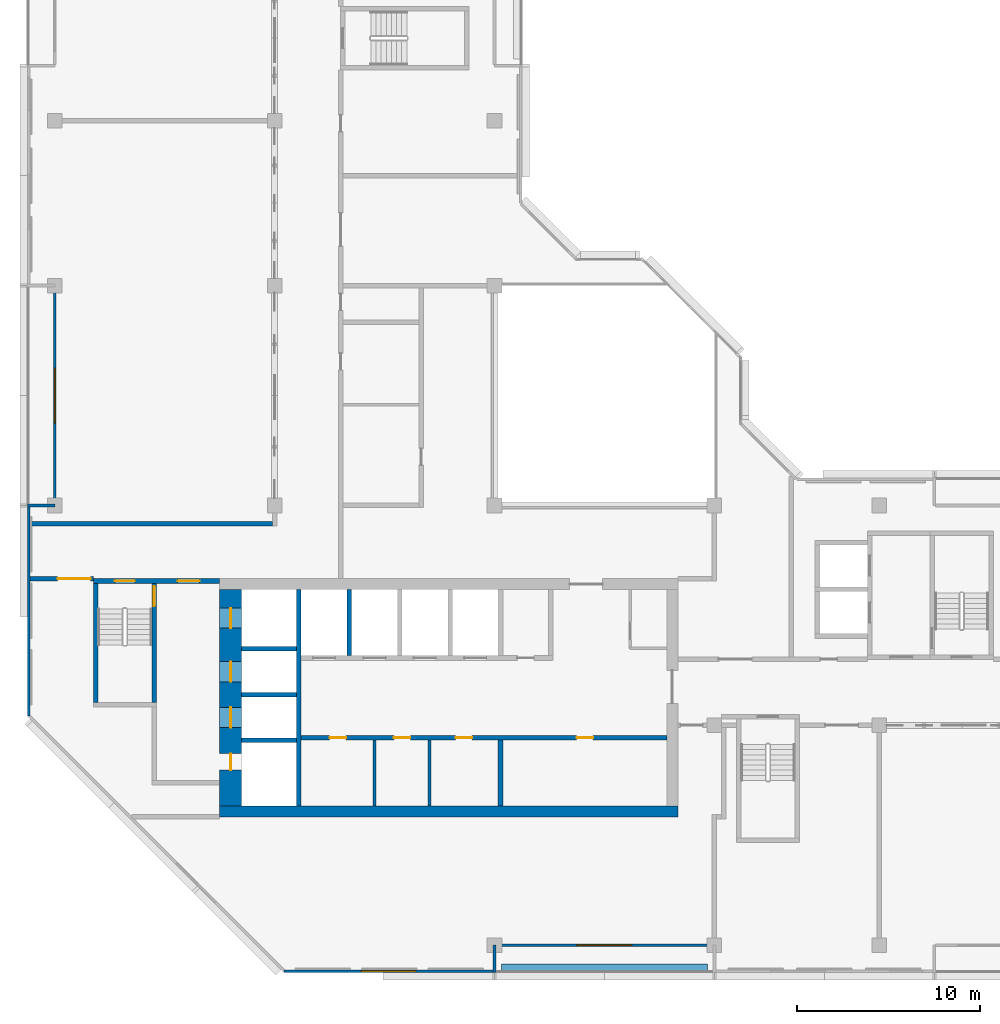
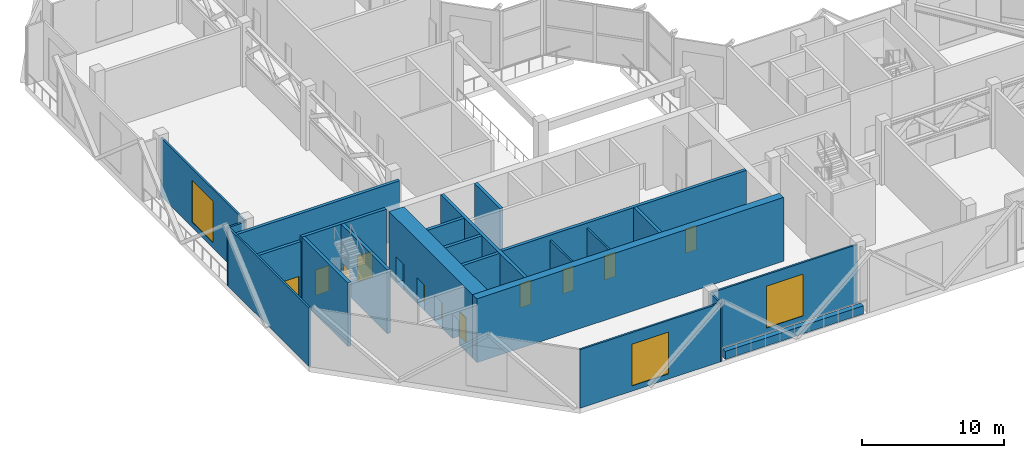
# One storey, part 5 of 13: 23 walls, 12 doors, 3 windows, 15 openings.
"""IFC4 building model written with IfcOpenShell, lengths in metres."""

from ifc_helpers import new_model, si_unit, direction, frame, frame_2d, origin, place, context, subcontext, project, spatial, rectangle, extrude, material, layer, layer_set, type_object, element, fill, save


model = new_model("IFC4")

# Units and contexts
model_context = context("Model", 3, precision=1e-05, world=origin(), true_north=direction((0.0, 1.0)))
body_context = subcontext(model_context, "Body", "Model", "MODEL_VIEW")
ifc_project = project(units=[si_unit("LENGTHUNIT", "METRE"), si_unit("AREAUNIT", "SQUARE_METRE"), si_unit("VOLUMEUNIT", "CUBIC_METRE"), si_unit("PLANEANGLEUNIT", "RADIAN"), si_unit("MASSUNIT", "GRAM", prefix="KILO")], contexts=[model_context])

# Site, building, storey
site_placement = place(None, origin())
site = spatial("IfcSite", under=ifc_project, at=site_placement, CompositionType="ELEMENT")
building_placement = place(site_placement, origin())
building = spatial("IfcBuilding", under=site, at=building_placement, Name="Chenar Terraces", CompositionType="ELEMENT")
storey_placement = place(building_placement, frame((0.0, 0.0, 322.14990234375)))
storey = spatial("IfcBuildingStorey", under=building, at=storey_placement, Name="L76", CompositionType="ELEMENT", Elevation=322.14990234375)

# Walls
ifc_material_1 = material(Name="Gypsum board on steel studs", Category="steel")
ifc_layer_1 = layer(ifc_material_1, 0.14990234375)
ifc_layer_set_1 = layer_set([ifc_layer_1], Name="Gypsum board on steel studs")
wall_type_1 = type_object("IfcWallType", Name="Core partition 150 gypsum board", PredefinedType="PARTITIONING", material=ifc_layer_set_1)
for number, where, z_axis, x_axis, name in (
    (1, (17.449951171875, 7.60009765625, 0.0), (0.0, 0.0, 1.0), (0.0, 1.0, 0.0), "Core partition CP1 freed bay wall"),
    (2, (20.449951171875, 7.60009765625, 0.0), (0.0, 0.0, 1.0), (0.0, 1.0, 0.0), "Core partition CP1 freed bay wall"),
):
    element("IfcWall", number, at=place(storey_placement, frame(where, z_axis=z_axis, x_axis=x_axis)), inside=storey, type_object=wall_type_1, Name=name, PredefinedType="PARTITIONING", context=body_context, shape_type="SweptSolid", body=[
        extrude(rectangle(XDim=3.599853515625, YDim=0.14990234375, at=frame_2d((1.7998046875, 0.0))), origin(), (0.0, 0.0, 1.0), 5.050048828125),
    ])

# Wall, openings, doors
ifc_material_2 = material(Name="Concrete C50/60", Category="concrete")
ifc_layer_2 = layer(ifc_material_2, 1.199951171875)
ifc_layer_set_2 = layer_set([ifc_layer_2], Name="Concrete C50/60")
wall_type_2 = type_object("IfcWallType", Name="Core wall 1200 Concrete C50/60", PredefinedType="SHEAR", material=ifc_layer_set_2)
wall_1_placement = place(storey_placement, frame((9.60009765625, 7.60009765625, 0.0), z_axis=(0.0, 0.0, 1.0), x_axis=(0.0, 1.0, 0.0)))
wall_1 = element("IfcWall", 3, at=wall_1_placement, inside=storey, type_object=wall_type_2, Name="Core wall W L76", PredefinedType="SHEAR", context=body_context, shape_type="SweptSolid", body=[
    extrude(rectangle(XDim=11.7998046875, YDim=1.199951171875, at=frame_2d((5.89990234375, 0.0))), origin(), (0.0, 0.0, 1.0), 5.5),
])
opening_1_placement = place(wall_1_placement, frame((4.27490234375, 0.0, 0.0)))
opening_1 = element("IfcOpeningElement", 4, at=opening_1_placement, cuts=wall_1, Name="Opening DL76-LD5", PredefinedType="OPENING", context=body_context, shape_type="SweptSolid", body=[
    extrude(rectangle(XDim=1.10009765625, YDim=2.199951171875, at=frame_2d((0.550048828125, 1.10009765625))), frame((0.0, 0.60986328125, 0.0), z_axis=(0.0, -1.0, 0.0), x_axis=(1.0, 0.0, 0.0)), (0.0, 0.0, 1.0), 1.219970703125),
])
opening_2_placement = place(wall_1_placement, frame((6.77490234375, 0.0, 0.0)))
opening_2 = element("IfcOpeningElement", 5, at=opening_2_placement, cuts=wall_1, Name="Opening DL76-LD6", PredefinedType="OPENING", context=body_context, shape_type="SweptSolid", body=[
    extrude(rectangle(XDim=1.10009765625, YDim=2.199951171875, at=frame_2d((0.550048828125, 1.10009765625))), frame((0.0, 0.60986328125, 0.0), z_axis=(0.0, -1.0, 0.0), x_axis=(1.0, 0.0, 0.0)), (0.0, 0.0, 1.0), 1.219970703125),
])
opening_3_placement = place(wall_1_placement, frame((9.699951171875, 0.0, 0.0)))
opening_3 = element("IfcOpeningElement", 6, at=opening_3_placement, cuts=wall_1, Name="Opening DL76-LD7", PredefinedType="OPENING", context=body_context, shape_type="SweptSolid", body=[
    extrude(rectangle(XDim=1.10009765625, YDim=2.199951171875, at=frame_2d((0.550048828125, 1.10009765625))), frame((0.0, 0.60986328125, 0.0), z_axis=(0.0, -1.0, 0.0), x_axis=(1.0, 0.0, 0.0)), (0.0, 0.0, 1.0), 1.219970703125),
])
opening_4_placement = place(wall_1_placement, frame((1.949951171875, 0.0, 0.0)))
opening_4 = element("IfcOpeningElement", 7, at=opening_4_placement, cuts=wall_1, Name="Opening DL76-C4", PredefinedType="OPENING", context=body_context, shape_type="SweptSolid", body=[
    extrude(rectangle(XDim=0.89990234375, YDim=2.10009765625, at=frame_2d((0.449951171875, 1.050048828125))), frame((0.0, 0.60986328125, 0.0), z_axis=(0.0, -1.0, 0.0), x_axis=(1.0, 0.0, 0.0)), (0.0, 0.0, 1.0), 1.219970703125),
])
ifc_material_3 = material(Name="Stainless steel", Category="steel")
door_type_1 = type_object("IfcDoorType", Name="Lift landing door 1100 x 2200 sliding", OperationType="DOUBLE_DOOR_SLIDING", PredefinedType="DOOR", material=ifc_material_3)
door_1_placement = place(opening_1_placement, origin())
door_1 = element("IfcDoor", 8, at=door_1_placement, inside=storey, type_object=door_type_1, Name="Landing door S1", OperationType="DOUBLE_DOOR_SLIDING", OverallHeight=2.199951171875, OverallWidth=1.10009765625, PredefinedType="DOOR", context=body_context, shape_type="SweptSolid", body=[
    extrude(rectangle(XDim=1.10009765625, YDim=2.199951171875, at=frame_2d((0.550048828125, 1.10009765625))), frame((0.0, 0.02490234375, 0.0), z_axis=(0.0, -1.0, 0.0), x_axis=(1.0, 0.0, 0.0)), (0.0, 0.0, 1.0), 0.050048828125),
])
fill(opening_1, door_1)
door_2_placement = place(opening_2_placement, origin())
door_2 = element("IfcDoor", 9, at=door_2_placement, inside=storey, type_object=door_type_1, Name="Landing door F1", OperationType="DOUBLE_DOOR_SLIDING", OverallHeight=2.199951171875, OverallWidth=1.10009765625, PredefinedType="DOOR", context=body_context, shape_type="SweptSolid", body=[
    extrude(rectangle(XDim=1.10009765625, YDim=2.199951171875, at=frame_2d((0.550048828125, 1.10009765625))), frame((0.0, 0.02490234375, 0.0), z_axis=(0.0, -1.0, 0.0), x_axis=(1.0, 0.0, 0.0)), (0.0, 0.0, 1.0), 0.050048828125),
])
fill(opening_2, door_2)
door_3_placement = place(opening_3_placement, origin())
door_3 = element("IfcDoor", 10, at=door_3_placement, inside=storey, type_object=door_type_1, Name="Landing door F2", OperationType="DOUBLE_DOOR_SLIDING", OverallHeight=2.199951171875, OverallWidth=1.10009765625, PredefinedType="DOOR", context=body_context, shape_type="SweptSolid", body=[
    extrude(rectangle(XDim=1.10009765625, YDim=2.199951171875, at=frame_2d((0.550048828125, 1.10009765625))), frame((0.0, 0.02490234375, 0.0), z_axis=(0.0, -1.0, 0.0), x_axis=(1.0, 0.0, 0.0)), (0.0, 0.0, 1.0), 0.050048828125),
])
fill(opening_3, door_3)
ifc_material_4 = material(Name="Steel-framed fire-resisting door leaf", Category="steel")
door_type_2 = type_object("IfcDoorType", Name="Riser fire door FD60 900 x 2100", OperationType="SINGLE_SWING_LEFT", PredefinedType="DOOR", material=ifc_material_4)
door_4_placement = place(opening_4_placement, frame((0.89990234375, 0.0, 0.0), z_axis=(0.0, 0.0, 1.0), x_axis=(-1.0, 0.0, 0.0)))
door_4 = element("IfcDoor", 11, at=door_4_placement, inside=storey, type_object=door_type_2, Name="Riser door DL76-C4", OperationType="SINGLE_SWING_LEFT", OverallHeight=2.10009765625, OverallWidth=0.89990234375, PredefinedType="DOOR", context=body_context, shape_type="SweptSolid", body=[
    extrude(rectangle(XDim=0.89990234375, YDim=2.10009765625, at=frame_2d((0.449951171875, 1.050048828125))), frame((0.0, 0.02490234375, 0.0), z_axis=(0.0, -1.0, 0.0), x_axis=(1.0, 0.0, 0.0)), (0.0, 0.0, 1.0), 0.050048828125),
])
fill(opening_4, door_4)

# Wall
ifc_material_5 = material(Name="Concrete C50/60", Category="concrete")
ifc_layer_3 = layer(ifc_material_5, 0.25)
ifc_layer_set_3 = layer_set([ifc_layer_3], Name="Concrete C50/60")
wall_type_3 = type_object("IfcWallType", Name="Core wall 250 Concrete C50/60", PredefinedType="SHEAR", material=ifc_layer_set_3)
wall_2_placement = place(storey_placement, frame((13.324951171875, 7.60009765625, 0.0), z_axis=(0.0, 0.0, 1.0), x_axis=(0.0, 1.0, 0.0)))
element("IfcWall", 12, at=wall_2_placement, inside=storey, type_object=wall_type_3, Name="Core wall WI L76", PredefinedType="SHEAR", context=body_context, shape_type="SweptSolid", body=[
    extrude(rectangle(XDim=11.7998046875, YDim=0.25, at=frame_2d((5.89990234375, 0.0))), origin(), (0.0, 0.0, 1.0), 5.5),
])

# Wall, openings, doors
wall_3_placement = place(storey_placement, frame((13.449951171875, 11.324951171875, 0.0), z_axis=(0.0, 0.0, 1.0), x_axis=(1.0, 0.0, 0.0)))
wall_3 = element("IfcWall", 13, at=wall_3_placement, inside=storey, type_object=wall_type_3, Name="Core wall SF L76", PredefinedType="SHEAR", context=body_context, shape_type="SweptSolid", body=[
    extrude(rectangle(XDim=19.949951171875, YDim=0.25, at=frame_2d((9.97509765625, 0.0))), origin(), (0.0, 0.0, 1.0), 5.5),
])
opening_5_placement = place(wall_3_placement, frame((1.550048828125, 0.0, 0.0)))
opening_5 = element("IfcOpeningElement", 14, at=opening_5_placement, cuts=wall_3, Name="Opening DL76-C12", PredefinedType="OPENING", context=body_context, shape_type="SweptSolid", body=[
    extrude(rectangle(XDim=0.89990234375, YDim=2.10009765625, at=frame_2d((0.449951171875, 1.050048828125))), frame((0.0, 0.135009765625, 0.0), z_axis=(0.0, -1.0, 0.0), x_axis=(1.0, 0.0, 0.0)), (0.0, 0.0, 1.0), 0.27001953125),
])
opening_6_placement = place(wall_3_placement, frame((5.050048828125, 0.0, 0.0)))
opening_6 = element("IfcOpeningElement", 15, at=opening_6_placement, cuts=wall_3, Name="Opening DL76-C13", PredefinedType="OPENING", context=body_context, shape_type="SweptSolid", body=[
    extrude(rectangle(XDim=0.89990234375, YDim=2.10009765625, at=frame_2d((0.449951171875, 1.050048828125))), frame((0.0, 0.135009765625, 0.0), z_axis=(0.0, -1.0, 0.0), x_axis=(1.0, 0.0, 0.0)), (0.0, 0.0, 1.0), 0.27001953125),
])
opening_7_placement = place(wall_3_placement, frame((8.425048828125, 0.0, 0.0)))
opening_7 = element("IfcOpeningElement", 16, at=opening_7_placement, cuts=wall_3, Name="Opening DL76-C14", PredefinedType="OPENING", context=body_context, shape_type="SweptSolid", body=[
    extrude(rectangle(XDim=0.89990234375, YDim=2.10009765625, at=frame_2d((0.449951171875, 1.050048828125))), frame((0.0, 0.135009765625, 0.0), z_axis=(0.0, -1.0, 0.0), x_axis=(1.0, 0.0, 0.0)), (0.0, 0.0, 1.0), 0.27001953125),
])
opening_8_placement = place(wall_3_placement, frame((15.02490234375, 0.0, 0.0)))
opening_8 = element("IfcOpeningElement", 17, at=opening_8_placement, cuts=wall_3, Name="Opening DL76-C15", PredefinedType="OPENING", context=body_context, shape_type="SweptSolid", body=[
    extrude(rectangle(XDim=0.89990234375, YDim=2.10009765625, at=frame_2d((0.449951171875, 1.050048828125))), frame((0.0, 0.135009765625, 0.0), z_axis=(0.0, -1.0, 0.0), x_axis=(1.0, 0.0, 0.0)), (0.0, 0.0, 1.0), 0.27001953125),
])
door_5_placement = place(opening_5_placement, frame((0.89990234375, 0.0, 0.0), z_axis=(0.0, 0.0, 1.0), x_axis=(-1.0, 0.0, 0.0)))
door_5 = element("IfcDoor", 18, at=door_5_placement, inside=storey, type_object=door_type_2, Name="Core room door DL76-C12", OperationType="SINGLE_SWING_LEFT", OverallHeight=2.10009765625, OverallWidth=0.89990234375, PredefinedType="DOOR", context=body_context, shape_type="SweptSolid", body=[
    extrude(rectangle(XDim=0.89990234375, YDim=2.10009765625, at=frame_2d((0.449951171875, 1.050048828125))), frame((0.0, 0.02490234375, 0.0), z_axis=(0.0, -1.0, 0.0), x_axis=(1.0, 0.0, 0.0)), (0.0, 0.0, 1.0), 0.050048828125),
])
fill(opening_5, door_5)
door_6_placement = place(opening_6_placement, frame((0.89990234375, 0.0, 0.0), z_axis=(0.0, 0.0, 1.0), x_axis=(-1.0, 0.0, 0.0)))
door_6 = element("IfcDoor", 19, at=door_6_placement, inside=storey, type_object=door_type_2, Name="Core room door DL76-C13", OperationType="SINGLE_SWING_LEFT", OverallHeight=2.10009765625, OverallWidth=0.89990234375, PredefinedType="DOOR", context=body_context, shape_type="SweptSolid", body=[
    extrude(rectangle(XDim=0.89990234375, YDim=2.10009765625, at=frame_2d((0.449951171875, 1.050048828125))), frame((0.0, 0.02490234375, 0.0), z_axis=(0.0, -1.0, 0.0), x_axis=(1.0, 0.0, 0.0)), (0.0, 0.0, 1.0), 0.050048828125),
])
fill(opening_6, door_6)
door_7_placement = place(opening_7_placement, frame((0.89990234375, 0.0, 0.0), z_axis=(0.0, 0.0, 1.0), x_axis=(-1.0, 0.0, 0.0)))
door_7 = element("IfcDoor", 20, at=door_7_placement, inside=storey, type_object=door_type_2, Name="Core room door DL76-C14", OperationType="SINGLE_SWING_RIGHT", OverallHeight=2.10009765625, OverallWidth=0.89990234375, PredefinedType="DOOR", context=body_context, shape_type="SweptSolid", body=[
    extrude(rectangle(XDim=0.89990234375, YDim=2.10009765625, at=frame_2d((0.449951171875, 1.050048828125))), frame((0.0, 0.02490234375, 0.0), z_axis=(0.0, -1.0, 0.0), x_axis=(1.0, 0.0, 0.0)), (0.0, 0.0, 1.0), 0.050048828125),
])
fill(opening_7, door_7)
door_8_placement = place(opening_8_placement, frame((0.89990234375, 0.0, 0.0), z_axis=(0.0, 0.0, 1.0), x_axis=(-1.0, 0.0, 0.0)))
door_8 = element("IfcDoor", 21, at=door_8_placement, inside=storey, type_object=door_type_2, Name="Core room door DL76-C15", OperationType="SINGLE_SWING_LEFT", OverallHeight=2.10009765625, OverallWidth=0.89990234375, PredefinedType="DOOR", context=body_context, shape_type="SweptSolid", body=[
    extrude(rectangle(XDim=0.89990234375, YDim=2.10009765625, at=frame_2d((0.449951171875, 1.050048828125))), frame((0.0, 0.02490234375, 0.0), z_axis=(0.0, -1.0, 0.0), x_axis=(1.0, 0.0, 0.0)), (0.0, 0.0, 1.0), 0.050048828125),
])
fill(opening_8, door_8)

# Walls
for number, where, z_axis, x_axis, name in (
    (22, (10.199951171875, 11.175048828125, 0.0), (0.0, 0.0, 1.0), (1.0, 0.0, 0.0), "Core wall HW0 L76"),
    (23, (10.199951171875, 13.675048828125, 0.0), (0.0, 0.0, 1.0), (1.0, 0.0, 0.0), "Core wall HW1 L76"),
    (24, (10.199951171875, 16.175048828125, 0.0), (0.0, 0.0, 1.0), (1.0, 0.0, 0.0), "Core wall HW2 L76"),
):
    element("IfcWall", number, at=place(storey_placement, frame(where, z_axis=z_axis, x_axis=x_axis)), inside=storey, type_object=wall_type_3, Name=name, PredefinedType="SHEAR", context=body_context, shape_type="SweptSolid", body=[
        extrude(rectangle(XDim=3.0, YDim=0.25, at=frame_2d((1.5, 0.0))), origin(), (0.0, 0.0, 1.0), 5.5),
    ])
for number, where, z_axis, x_axis, name in (
    (25, (24.324951171875, 7.60009765625, 0.0), (0.0, 0.0, 1.0), (0.0, 1.0, 0.0), "Core wall SS3 L76"),
    (26, (16.074951171875, 15.800048828125, 0.0), (0.0, 0.0, 1.0), (0.0, 1.0, 0.0), "Core wall NS0 L76"),
):
    element("IfcWall", number, at=place(storey_placement, frame(where, z_axis=z_axis, x_axis=x_axis)), inside=storey, type_object=wall_type_3, Name=name, PredefinedType="SHEAR", context=body_context, shape_type="SweptSolid", body=[
        extrude(rectangle(XDim=3.599853515625, YDim=0.25, at=frame_2d((1.7998046875, 0.0))), origin(), (0.0, 0.0, 1.0), 5.5),
    ])

# Wall, openings, doors
wall_4_placement = place(storey_placement, frame((2.10009765625, 19.875, 0.0), z_axis=(0.0, 0.0, 1.0), x_axis=(1.0, 0.0, 0.0)))
wall_4 = element("IfcWall", 27, at=wall_4_placement, inside=storey, type_object=wall_type_3, Name="Core wall A_N L76", PredefinedType="SHEAR", context=body_context, shape_type="SweptSolid", body=[
    extrude(rectangle(XDim=6.89990234375, YDim=0.25, at=frame_2d((3.449951171875, 0.0))), origin(), (0.0, 0.0, 1.0), 5.5),
])
opening_9_placement = place(wall_4_placement, frame((1.175048828125, 0.0, 0.0)))
opening_9 = element("IfcOpeningElement", 28, at=opening_9_placement, cuts=wall_4, Name="Opening DL76-C5", PredefinedType="OPENING", context=body_context, shape_type="SweptSolid", body=[
    extrude(rectangle(XDim=1.10009765625, YDim=2.199951171875, at=frame_2d((0.550048828125, 1.10009765625))), frame((0.0, 0.135009765625, 0.0), z_axis=(0.0, -1.0, 0.0), x_axis=(1.0, 0.0, 0.0)), (0.0, 0.0, 1.0), 0.27001953125),
])
opening_10_placement = place(wall_4_placement, frame((4.60009765625, 0.0, 0.0)))
opening_10 = element("IfcOpeningElement", 29, at=opening_10_placement, cuts=wall_4, Name="Opening DL76-C6", PredefinedType="OPENING", context=body_context, shape_type="SweptSolid", body=[
    extrude(rectangle(XDim=1.199951171875, YDim=2.199951171875, at=frame_2d((0.60009765625, 1.10009765625))), frame((0.0, 0.135009765625, 0.0), z_axis=(0.0, -1.0, 0.0), x_axis=(1.0, 0.0, 0.0)), (0.0, 0.0, 1.0), 0.27001953125),
])
ifc_material_6 = material(Name="Steel-framed fire-resisting door leaf", Category="steel")
door_type_3 = type_object("IfcDoorType", Name="Lobby fire door FD60 1200 x 2200", OperationType="SINGLE_SWING_LEFT", PredefinedType="DOOR", material=ifc_material_6)
door_9_placement = place(opening_10_placement, frame((1.199951171875, 0.0, 0.0), z_axis=(0.0, 0.0, 1.0), x_axis=(-1.0, 0.0, 0.0)))
door_9 = element("IfcDoor", 30, at=door_9_placement, inside=storey, type_object=door_type_3, Name="Core door DL76-C6", OperationType="SINGLE_SWING_LEFT", OverallHeight=2.199951171875, OverallWidth=1.199951171875, PredefinedType="DOOR", context=body_context, shape_type="SweptSolid", body=[
    extrude(rectangle(XDim=1.199951171875, YDim=2.199951171875, at=frame_2d((0.60009765625, 1.10009765625))), frame((0.0, 0.02490234375, 0.0), z_axis=(0.0, -1.0, 0.0), x_axis=(1.0, 0.0, 0.0)), (0.0, 0.0, 1.0), 0.050048828125),
])
fill(opening_10, door_9)
ifc_material_7 = material(Name="Steel-framed fire-resisting door leaf", Category="steel")
door_type_4 = type_object("IfcDoorType", Name="Stair fire door FD60 1100 x 2200", OperationType="SINGLE_SWING_LEFT", PredefinedType="DOOR", material=ifc_material_7)
door_10_placement = place(opening_9_placement, origin())
door_10 = element("IfcDoor", 31, at=door_10_placement, inside=storey, type_object=door_type_4, Name="Stair door DL76-C5", OperationType="SINGLE_SWING_LEFT", OverallHeight=2.199951171875, OverallWidth=1.10009765625, PredefinedType="DOOR", context=body_context, shape_type="SweptSolid", body=[
    extrude(rectangle(XDim=1.10009765625, YDim=2.199951171875, at=frame_2d((0.550048828125, 1.10009765625))), frame((0.0, 0.02490234375, 0.0), z_axis=(0.0, -1.0, 0.0), x_axis=(1.0, 0.0, 0.0)), (0.0, 0.0, 1.0), 0.050048828125),
])
fill(opening_9, door_10)

# Wall
wall_5_placement = place(storey_placement, frame((2.22509765625, 13.25, 0.0), z_axis=(0.0, 0.0, 1.0), x_axis=(0.0, 1.0, 0.0)))
element("IfcWall", 32, at=wall_5_placement, inside=storey, type_object=wall_type_3, Name="Core wall ST1_W L76", PredefinedType="SHEAR", context=body_context, shape_type="SweptSolid", body=[
    extrude(rectangle(XDim=6.5, YDim=0.25, at=frame_2d((3.25, 0.0))), origin(), (0.0, 0.0, 1.0), 5.5),
])

# Wall, opening, door
wall_6_placement = place(storey_placement, frame((5.425048828125, 13.25, 0.0), z_axis=(0.0, 0.0, 1.0), x_axis=(0.0, 1.0, 0.0)))
wall_6 = element("IfcWall", 33, at=wall_6_placement, inside=storey, type_object=wall_type_3, Name="Core wall ST1_E L76", PredefinedType="SHEAR", context=body_context, shape_type="SweptSolid", body=[
    extrude(rectangle(XDim=6.5, YDim=0.25, at=frame_2d((3.25, 0.0))), origin(), (0.0, 0.0, 1.0), 5.5),
])
opening_11_placement = place(wall_6_placement, frame((5.25, 0.0, 0.0)))
opening_11 = element("IfcOpeningElement", 34, at=opening_11_placement, cuts=wall_6, Name="Opening DL76-C3", PredefinedType="OPENING", context=body_context, shape_type="SweptSolid", body=[
    extrude(rectangle(XDim=1.10009765625, YDim=2.199951171875, at=frame_2d((0.550048828125, 1.10009765625))), frame((0.0, 0.135009765625, 0.0), z_axis=(0.0, -1.0, 0.0), x_axis=(1.0, 0.0, 0.0)), (0.0, 0.0, 1.0), 0.27001953125),
])
door_11_placement = place(opening_11_placement, origin())
door_11 = element("IfcDoor", 35, at=door_11_placement, inside=storey, type_object=door_type_4, Name="Stair door DL76-C3", OperationType="SINGLE_SWING_RIGHT", OverallHeight=2.199951171875, OverallWidth=1.10009765625, PredefinedType="DOOR", context=body_context, shape_type="SweptSolid", body=[
    extrude(rectangle(XDim=1.10009765625, YDim=2.199951171875, at=frame_2d((0.550048828125, 1.10009765625))), frame((0.0, 0.02490234375, 0.0), z_axis=(0.0, -1.0, 0.0), x_axis=(1.0, 0.0, 0.0)), (0.0, 0.0, 1.0), 0.050048828125),
])
fill(opening_11, door_11)

# Walls
ifc_material_8 = material(Name="Concrete C50/60", Category="concrete")
ifc_layer_4 = layer(ifc_material_8, 0.60009765625)
ifc_layer_set_4 = layer_set([ifc_layer_4], Name="Concrete C50/60")
wall_type_4 = type_object("IfcWallType", Name="Core wall 600 Concrete C50/60", PredefinedType="SHEAR", material=ifc_layer_set_4)
wall_7_placement = place(storey_placement, frame((9.0, 7.300048828125, 0.0), z_axis=(0.0, 0.0, 1.0), x_axis=(1.0, 0.0, 0.0)))
element("IfcWall", 36, at=wall_7_placement, inside=storey, type_object=wall_type_4, Name="Core wall S L76", PredefinedType="SHEAR", context=body_context, shape_type="SweptSolid", body=[
    extrude(rectangle(XDim=25.0, YDim=0.60009765625, at=frame_2d((12.5, 0.0))), origin(), (0.0, 0.0, 1.0), 5.5),
])
ifc_material_9 = material(Name="Aluminium framed glazing", Category="aluminium")
ifc_layer_5 = layer(ifc_material_9, 0.14990234375)
ifc_layer_set_5 = layer_set([ifc_layer_5], Name="Aluminium framed glazing")
wall_type_5 = type_object("IfcWallType", Name="Glazed flush facade wall 150", PredefinedType="SOLIDWALL", material=ifc_layer_set_5)
wall_8_placement = place(storey_placement, frame((-1.425048828125, 23.925048828125, 0.0), z_axis=(0.0, 0.0, 1.0), x_axis=(0.0, -1.0, 0.0)))
element("IfcWall", 37, at=wall_8_placement, inside=storey, type_object=wall_type_5, Name="Glazed flush facade wall", PredefinedType="SOLIDWALL", context=body_context, shape_type="SweptSolid", body=[
    extrude(rectangle(XDim=11.425048828125, YDim=0.14990234375, at=frame_2d((5.71240234375, 0.0))), origin(), (0.0, 0.0, 1.0), 5.050048828125),
])

# Wall, opening, window
wall_9_placement = place(storey_placement, frame((12.5, -1.425048828125, 0.0), z_axis=(0.0, 0.0, 1.0), x_axis=(1.0, 0.0, 0.0)))
wall_9 = element("IfcWall", 38, at=wall_9_placement, inside=storey, type_object=wall_type_5, Name="Glazed flush facade wall", PredefinedType="SOLIDWALL", context=body_context, shape_type="SweptSolid", body=[
    extrude(rectangle(XDim=11.425048828125, YDim=0.14990234375, at=frame_2d((5.71240234375, 0.0))), origin(), (0.0, 0.0, 1.0), 5.050048828125),
])
opening_12_placement = place(wall_9_placement, frame((4.21240234375, 0.0, 0.449951171875)))
opening_12 = element("IfcOpeningElement", 39, at=opening_12_placement, cuts=wall_9, Name="Opening W300x360", PredefinedType="OPENING", context=body_context, shape_type="SweptSolid", body=[
    extrude(rectangle(XDim=3.0, YDim=3.60009765625, at=frame_2d((1.5, 1.800048828125))), frame((0.0, 0.0849609375, 0.0), z_axis=(0.0, -1.0, 0.0), x_axis=(1.0, 0.0, 0.0)), (0.0, 0.0, 1.0), 0.169921875),
])
ifc_material_10 = material(Name="Low emissivity double glazing, aluminium frame", Category="aluminium")
window_type = type_object("IfcWindowType", Name="Fixed light 3000 x 3600", PartitioningType="SINGLE_PANEL", PredefinedType="WINDOW", material=ifc_material_10)
window_1_placement = place(opening_12_placement, origin())
window_1 = element("IfcWindow", 40, at=window_1_placement, inside=storey, type_object=window_type, Name="Window", OverallHeight=3.60009765625, OverallWidth=3.0, PartitioningType="SINGLE_PANEL", PredefinedType="WINDOW", context=body_context, shape_type="SweptSolid", body=[
    extrude(rectangle(XDim=3.0, YDim=3.60009765625, at=frame_2d((1.5, 1.800048828125))), frame((0.0, 0.030029296875, 0.0), z_axis=(0.0, -1.0, 0.0), x_axis=(1.0, 0.0, 0.0)), (0.0, 0.0, 1.0), 0.06005859375),
])
fill(opening_12, window_1)

ifc_material_11 = material(Name="Aluminium framed glazing", Category="aluminium")
ifc_layer_6 = layer(ifc_material_11, 0.14990234375)
ifc_layer_set_6 = layer_set([ifc_layer_6], Name="Aluminium framed glazing")
wall_type_6 = type_object("IfcWallType", Name="Glazed loggia back wall 150", PredefinedType="SOLIDWALL", material=ifc_layer_set_6)
wall_10_placement = place(storey_placement, frame((0.0, 35.925048828125, 0.0), z_axis=(0.0, 0.0, 1.0), x_axis=(0.0, -1.0, 0.0)))
wall_10 = element("IfcWall", 41, at=wall_10_placement, inside=storey, type_object=wall_type_6, Name="Glazed loggia back wall", PredefinedType="SOLIDWALL", context=body_context, shape_type="SweptSolid", body=[
    extrude(rectangle(XDim=11.85009765625, YDim=0.14990234375, at=frame_2d((5.925048828125, 0.0))), origin(), (0.0, 0.0, 1.0), 5.050048828125),
])
opening_13_placement = place(wall_10_placement, frame((4.425048828125, 0.0, 0.449951171875)))
opening_13 = element("IfcOpeningElement", 42, at=opening_13_placement, cuts=wall_10, Name="Opening W300x360", PredefinedType="OPENING", context=body_context, shape_type="SweptSolid", body=[
    extrude(rectangle(XDim=3.0, YDim=3.60009765625, at=frame_2d((1.5, 1.800048828125))), frame((0.0, 0.0849609375, 0.0), z_axis=(0.0, -1.0, 0.0), x_axis=(1.0, 0.0, 0.0)), (0.0, 0.0, 1.0), 0.169921875),
])
window_2_placement = place(opening_13_placement, origin())
window_2 = element("IfcWindow", 43, at=window_2_placement, inside=storey, type_object=window_type, Name="Window", OverallHeight=3.60009765625, OverallWidth=3.0, PartitioningType="SINGLE_PANEL", PredefinedType="WINDOW", context=body_context, shape_type="SweptSolid", body=[
    extrude(rectangle(XDim=3.0, YDim=3.60009765625, at=frame_2d((1.5, 1.800048828125))), frame((0.0, 0.030029296875, 0.0), z_axis=(0.0, -1.0, 0.0), x_axis=(1.0, 0.0, 0.0)), (0.0, 0.0, 1.0), 0.06005859375),
])
fill(opening_13, window_2)

wall_11_placement = place(storey_placement, frame((24.074951171875, 0.0, 0.0), z_axis=(0.0, 0.0, 1.0), x_axis=(1.0, 0.0, 0.0)))
wall_11 = element("IfcWall", 44, at=wall_11_placement, inside=storey, type_object=wall_type_6, Name="Glazed loggia back wall", PredefinedType="SOLIDWALL", context=body_context, shape_type="SweptSolid", body=[
    extrude(rectangle(XDim=11.85009765625, YDim=0.14990234375, at=frame_2d((5.925048828125, 0.0))), origin(), (0.0, 0.0, 1.0), 5.050048828125),
])
opening_14_placement = place(wall_11_placement, frame((4.425048828125, 0.0, 0.449951171875)))
opening_14 = element("IfcOpeningElement", 45, at=opening_14_placement, cuts=wall_11, Name="Opening W300x360", PredefinedType="OPENING", context=body_context, shape_type="SweptSolid", body=[
    extrude(rectangle(XDim=3.0, YDim=3.60009765625, at=frame_2d((1.5, 1.800048828125))), frame((0.0, 0.0849609375, 0.0), z_axis=(0.0, -1.0, 0.0), x_axis=(1.0, 0.0, 0.0)), (0.0, 0.0, 1.0), 0.169921875),
])
window_3_placement = place(opening_14_placement, origin())
window_3 = element("IfcWindow", 46, at=window_3_placement, inside=storey, type_object=window_type, Name="Window", OverallHeight=3.60009765625, OverallWidth=3.0, PartitioningType="SINGLE_PANEL", PredefinedType="WINDOW", context=body_context, shape_type="SweptSolid", body=[
    extrude(rectangle(XDim=3.0, YDim=3.60009765625, at=frame_2d((1.5, 1.800048828125))), frame((0.0, 0.030029296875, 0.0), z_axis=(0.0, -1.0, 0.0), x_axis=(1.0, 0.0, 0.0)), (0.0, 0.0, 1.0), 0.06005859375),
])
fill(opening_14, window_3)

# Walls
ifc_material_12 = material(Name="Terracotta cladding on insulated backing", Category="masonry")
ifc_layer_7 = layer(ifc_material_12, 0.14990234375)
ifc_layer_set_7 = layer_set([ifc_layer_7], Name="Terracotta cladding on insulated backing")
wall_type_7 = type_object("IfcWallType", Name="Loggia return wall 150", PredefinedType="SOLIDWALL", material=ifc_layer_set_7)
for number, where, z_axis, x_axis, name in (
    (47, (-1.5, 24.0, 0.0), (0.0, 0.0, 1.0), (1.0, 0.0, 0.0), "Loggia return wall"),
    (48, (24.0, -1.5, 0.0), (0.0, 0.0, 1.0), (0.0, 1.0, 0.0), "Loggia return wall"),
):
    element("IfcWall", number, at=place(storey_placement, frame(where, z_axis=z_axis, x_axis=x_axis)), inside=storey, type_object=wall_type_7, Name=name, PredefinedType="SOLIDWALL", context=body_context, shape_type="SweptSolid", body=[
        extrude(rectangle(XDim=1.5, YDim=0.14990234375, at=frame_2d((0.75, 0.0))), origin(), (0.0, 0.0, 1.0), 5.050048828125),
    ])

# Wall, opening, door
ifc_material_13 = material(Name="Fire-board and steel stud wall with mineral wool", Category="steel")
ifc_layer_8 = layer(ifc_material_13, 0.25)
ifc_layer_set_8 = layer_set([ifc_layer_8], Name="Fire-board and steel stud wall with mineral wool")
wall_type_8 = type_object("IfcWallType", Name="Refuge compartment wall 250", PredefinedType="PARTITIONING", material=ifc_layer_set_8)
wall_12_placement = place(storey_placement, frame((-1.35009765625, 20.0, 0.0), z_axis=(0.0, 0.0, 1.0), x_axis=(1.0, 0.0, 0.0)))
wall_12 = element("IfcWall", 49, at=wall_12_placement, inside=storey, type_object=wall_type_8, Name="Partition L76-001", PredefinedType="PARTITIONING", context=body_context, shape_type="SweptSolid", body=[
    extrude(rectangle(XDim=3.4501953125, YDim=0.25, at=frame_2d((1.72509765625, 0.0))), origin(), (0.0, 0.0, 1.0), 5.050048828125),
])
opening_15_placement = place(wall_12_placement, frame((1.5, 0.0, 0.0)))
opening_15 = element("IfcOpeningElement", 50, at=opening_15_placement, cuts=wall_12, Name="Opening DL76-12", PredefinedType="OPENING", context=body_context, shape_type="SweptSolid", body=[
    extrude(rectangle(XDim=1.800048828125, YDim=2.10009765625, at=frame_2d((0.89990234375, 1.050048828125))), frame((0.0, 0.135009765625, 0.0), z_axis=(0.0, -1.0, 0.0), x_axis=(1.0, 0.0, 0.0)), (0.0, 0.0, 1.0), 0.27001953125),
])
ifc_material_14 = material(Name="Steel-framed fire-resisting door leaf", Category="steel")
door_type_5 = type_object("IfcDoorType", Name="Fire double door FD120 1800 x 2100", OperationType="DOUBLE_DOOR_SINGLE_SWING", PredefinedType="DOOR", material=ifc_material_14)
door_12_placement = place(opening_15_placement, frame((1.800048828125, 0.0, 0.0), z_axis=(0.0, 0.0, 1.0), x_axis=(-1.0, 0.0, 0.0)))
door_12 = element("IfcDoor", 51, at=door_12_placement, inside=storey, type_object=door_type_5, Name="Door DL76-12", OperationType="DOUBLE_DOOR_SINGLE_SWING", OverallHeight=2.10009765625, OverallWidth=1.800048828125, PredefinedType="DOOR", context=body_context, shape_type="SweptSolid", body=[
    extrude(rectangle(XDim=1.800048828125, YDim=2.10009765625, at=frame_2d((0.89990234375, 1.050048828125))), frame((0.0, 0.02490234375, 0.0), z_axis=(0.0, -1.0, 0.0), x_axis=(1.0, 0.0, 0.0)), (0.0, 0.0, 1.0), 0.050048828125),
])
fill(opening_15, door_12)

# Walls
wall_13_placement = place(storey_placement, frame((-1.35009765625, 23.0, 0.0), z_axis=(0.0, 0.0, 1.0), x_axis=(1.0, 0.0, 0.0)))
element("IfcWall", 52, at=wall_13_placement, inside=storey, type_object=wall_type_8, Name="Partition L76-002", PredefinedType="PARTITIONING", context=body_context, shape_type="SweptSolid", body=[
    extrude(rectangle(XDim=13.22509765625, YDim=0.25, at=frame_2d((6.612548828125, 0.0))), origin(), (0.0, 0.0, 1.0), 5.050048828125),
])
ifc_material_15 = material(Name="GRP planter trough")
ifc_layer_9 = layer(ifc_material_15, 0.39990234375)
ifc_layer_set_9 = layer_set([ifc_layer_9], Name="GRP planter trough")
wall_type_9 = type_object("IfcWallType", Name="Vertical greenery planter 400", PredefinedType="SOLIDWALL", material=ifc_layer_set_9)
wall_14_placement = place(storey_placement, frame((24.375, -1.22900390625, 0.0), z_axis=(0.0, 0.0, 1.0), x_axis=(1.0, 0.0, 0.0)))
element("IfcWall", 53, at=wall_14_placement, inside=storey, type_object=wall_type_9, Name="Vertical greenery planter", PredefinedType="SOLIDWALL", context=body_context, shape_type="SweptSolid", body=[
    extrude(rectangle(XDim=11.25, YDim=0.39990234375, at=frame_2d((5.625, 0.0))), origin(), (0.0, 0.0, 1.0), 0.7001953125),
])

save(model, "model.ifc")
